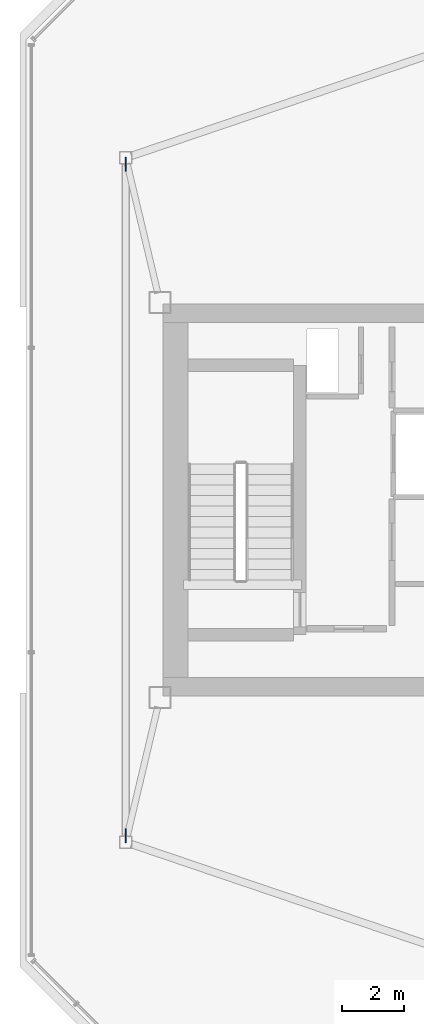
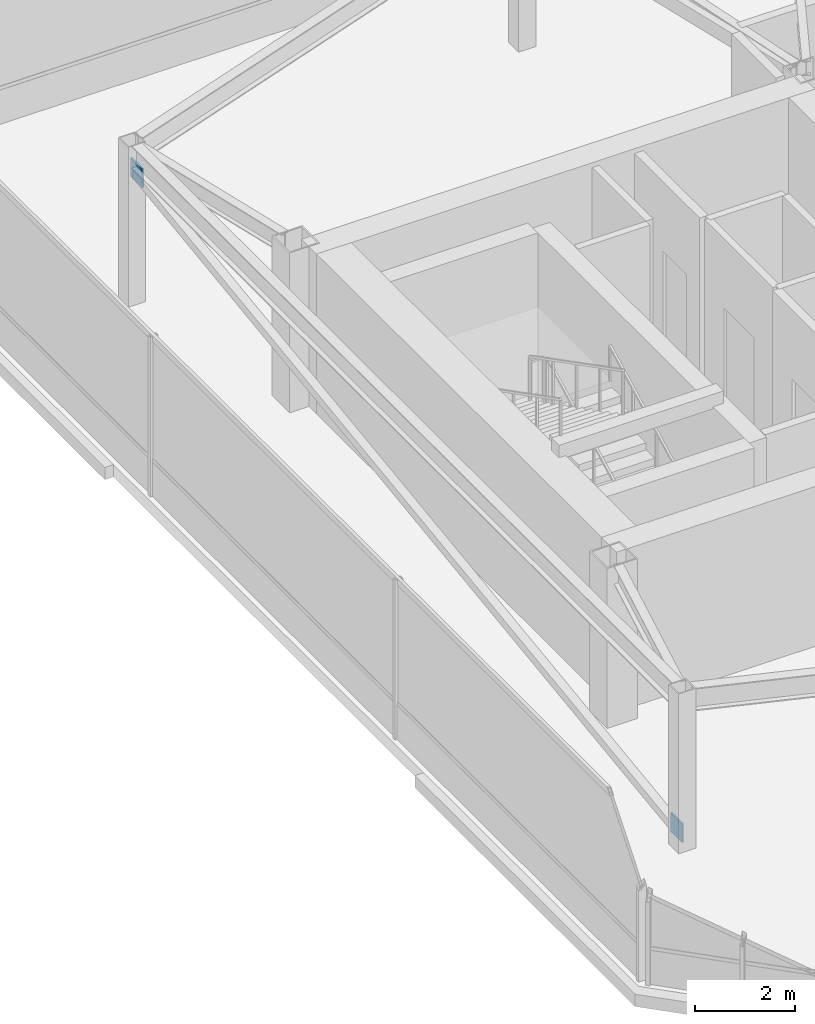
# One storey, part 19 of 21: 2 discrete accessories.
"""IFC4 building model written with IfcOpenShell, lengths in metres."""

import ifcopenshell
import ifcopenshell.guid

model = None  # the IFC model being written
_history = None  # IfcOwnerHistory: only IFC2X3 demands one
_inside = {}  # id of a spatial element -> (the spatial element, [elements in it])
_under = {}  # id of a project, library or spatial element -> (it, [spatial elements below it])
_declared = {}  # id of a project -> (the project, [libraries it declares])
_typed = {}  # id of a type object -> (the type object, [elements of that type])
_made_of = {}  # id of a material, layer set ... -> (it, [elements and type objects made of it])


def new_model(schema):
    """Start an empty IFC model of exactly this schema.

    Asked for "IFC4X3", IfcOpenShell would pick the latest addendum, in which some entities
    have other attributes; the version numbers below select the first issue.
    IFC2X3 requires an IfcOwnerHistory on every rooted entity: one is made here for all.
    """
    global model, _history
    if schema == "IFC4X3":
        model = ifcopenshell.file(schema_version=(4, 3, 0, 0))
    else:
        model = ifcopenshell.file(schema=schema)
    _inside.clear()
    _under.clear()
    _declared.clear()
    _typed.clear()
    _made_of.clear()
    _history = None
    if model.schema == "IFC2X3":
        org = make("IfcOrganization", Name="unknown")
        user = make(
            "IfcPersonAndOrganization",
            ThePerson=make("IfcPerson", FamilyName="unknown"),
            TheOrganization=org,
        )
        app = make(
            "IfcApplication",
            ApplicationDeveloper=org,
            Version="unknown",
            ApplicationFullName="unknown",
            ApplicationIdentifier="unknown",
        )
        _history = make(
            "IfcOwnerHistory",
            OwningUser=user,
            OwningApplication=app,
            ChangeAction="ADDED",
            CreationDate=0,
        )
    return model


def make(cls, **values):
    """One entity of the class cls with the attributes given. An attribute that is None is left unset."""
    return model.create_entity(
        cls, **{name: value for name, value in values.items() if value is not None}
    )


def rooted(cls, **values):
    """An entity with a GlobalId (a new one), such as an element, a storey or a relation."""
    return make(cls, GlobalId=ifcopenshell.guid.new(), OwnerHistory=_history, **values)


def si_unit(unit_type, name, prefix=None):
    """IfcSIUnit, for example si_unit("LENGTHUNIT", "METRE", prefix="MILLI")."""
    return make("IfcSIUnit", UnitType=unit_type, Prefix=prefix, Name=name)


def assignment(units):
    """IfcUnitAssignment: the units of a project."""
    return None if units is None else make("IfcUnitAssignment", Units=units)


def point(xyz):
    """IfcCartesianPoint."""
    return None if xyz is None else make("IfcCartesianPoint", Coordinates=xyz)


def direction(xyz):
    """IfcDirection."""
    return None if xyz is None else make("IfcDirection", DirectionRatios=xyz)


def frame(location, z_axis=None, x_axis=None):
    """IfcAxis2Placement3D, a coordinate frame: its origin and axes. An axis left out is left unset."""
    return make(
        "IfcAxis2Placement3D",
        Location=point(location),
        Axis=direction(z_axis),
        RefDirection=direction(x_axis),
    )


def frame_2d(location, x_axis=None):
    """IfcAxis2Placement2D, a coordinate frame in the plane: its origin and x axis."""
    return make(
        "IfcAxis2Placement2D", Location=point(location), RefDirection=direction(x_axis)
    )


def origin():
    """The frame at (0, 0, 0) with its axes left unset."""
    return frame((0.0, 0.0, 0.0))


def origin_2d():
    """The frame at (0, 0) in the plane with its x axis left unset."""
    return frame_2d((0.0, 0.0))


def place(relative_to, where):
    """IfcLocalPlacement: puts the frame where relative to a parent placement (None: the world)."""
    return make(
        "IfcLocalPlacement", PlacementRelTo=relative_to, RelativePlacement=where
    )


def context(
    kind, dimensions, precision=None, world=None, true_north=None, identifier=None
):
    """IfcGeometricRepresentationContext, for example the 3D "Model" context."""
    return make(
        "IfcGeometricRepresentationContext",
        ContextIdentifier=identifier,
        ContextType=kind,
        CoordinateSpaceDimension=dimensions,
        Precision=precision,
        WorldCoordinateSystem=world,
        TrueNorth=true_north,
    )


def subcontext(parent, identifier, kind, view, scale=None):
    """IfcGeometricRepresentationSubContext, for example "Body" below "Model"."""
    return make(
        "IfcGeometricRepresentationSubContext",
        ContextIdentifier=identifier,
        ContextType=kind,
        ParentContext=parent,
        TargetScale=scale,
        TargetView=view,
    )


def project(units=None, contexts=None):
    """IfcProject with its units and contexts."""
    return rooted(
        "IfcProject",
        Name="project",
        RepresentationContexts=contexts,
        UnitsInContext=assignment(units),
    )


def spatial(cls, under=None, at=None, **own):
    """A site, building, storey or space (cls), placed at a placement, below another one or the project."""
    s = rooted(cls, ObjectPlacement=at, **own)
    if under is not None:
        _under.setdefault(under.id(), (under, []))[1].append(s)
    return s


def profile(cls, at=None, kind="AREA", **sizes):
    """A parametric profile (cls). Its sizes go by their IFC names, for example OverallWidth=200.0."""
    return make(cls, ProfileType=kind, Position=at, **sizes)


def rectangle(**sizes):
    """IfcRectangleProfileDef."""
    return profile("IfcRectangleProfileDef", **sizes)


def extrude(swept, where, along, depth):
    """IfcExtrudedAreaSolid: the profile swept, set in the frame where, extruded along a direction by depth."""
    return make(
        "IfcExtrudedAreaSolid",
        SweptArea=swept,
        Position=where,
        ExtrudedDirection=direction(along),
        Depth=depth,
    )


def shape(context_of_items, identifier, shape_type, items):
    """IfcShapeRepresentation: the items that make up one representation, for example the "Body"."""
    return make(
        "IfcShapeRepresentation",
        ContextOfItems=context_of_items,
        RepresentationIdentifier=identifier,
        RepresentationType=shape_type,
        Items=items,
    )


def material(Name=None, Category=None):
    """IfcMaterial."""
    return make("IfcMaterial", Name=Name, Category=Category)


def made_of(thing, what):
    """Note that an element or type object is made of a material, layer set ...; save() writes the relation."""
    if what is not None:
        _made_of.setdefault(what.id(), (what, []))[1].append(thing)
    return thing


def type_object(cls, material=None, **own):
    """A type object (cls), such as IfcWallType, which elements share."""
    return made_of(rooted(cls, **own), material)


def element(
    cls,
    number,
    at=None,
    inside=None,
    cuts=None,
    type_object=None,
    material=None,
    context=None,
    identifier="Body",
    shape_type=None,
    held_by="IfcProductDefinitionShape",
    body=None,
    shapes=None,
    **own,
):
    """One element of the class cls, such as IfcWall. Its Tag is "e" and its number.

    at: its placement. inside: the storey or other place that contains it. cuts: it is an
    opening in that element (IfcRelVoidsElement). A single representation is given by context,
    identifier, shape_type and body (its items); several are given by shapes. held_by: the class
    of the entity that holds the representations. save() writes the other relations.
    """
    e = rooted(cls, Tag="e%d" % number, ObjectPlacement=at, **own)
    if body is not None:
        shapes = [shape(context, identifier, shape_type, body)]
    if shapes is not None:
        e.Representation = make(held_by, Representations=shapes)
    if inside is not None:
        _inside.setdefault(inside.id(), (inside, []))[1].append(e)
    if cuts is not None:
        rooted(
            "IfcRelVoidsElement", RelatingBuildingElement=cuts, RelatedOpeningElement=e
        )
    if type_object is not None:
        _typed.setdefault(type_object.id(), (type_object, []))[1].append(e)
    return made_of(e, material)


def aggregate(whole, parts):
    """IfcRelAggregates: a whole, such as a stair, and the parts it consists of."""
    return rooted("IfcRelAggregates", RelatingObject=whole, RelatedObjects=parts)


def save(model, path):
    """Write the relations noted so far, then the file.

    IfcRelAggregates (storeys below a building ...), IfcRelContainedInSpatialStructure (elements
    in a storey), IfcRelDefinesByType, IfcRelAssociatesMaterial and IfcRelDeclares: one each for
    every whole, place, type object, material and project.
    """
    for whole, parts in _under.values():
        aggregate(whole, parts)
    for where, things in _inside.values():
        rooted(
            "IfcRelContainedInSpatialStructure",
            RelatedElements=things,
            RelatingStructure=where,
        )
    for kind, things in _typed.values():
        rooted("IfcRelDefinesByType", RelatedObjects=things, RelatingType=kind)
    for what, things in _made_of.values():
        rooted("IfcRelAssociatesMaterial", RelatedObjects=things, RelatingMaterial=what)
    for by, libraries in _declared.values():
        rooted("IfcRelDeclares", RelatingContext=by, RelatedDefinitions=libraries)
    model.write(path)


model = new_model("IFC4")

# Units and contexts
model_context = context("Model", 3, precision=1e-05, world=origin(), true_north=direction((0.0, 1.0)))
body_context = subcontext(model_context, "Body", "Model", "MODEL_VIEW")
ifc_project = project(units=[si_unit("LENGTHUNIT", "METRE"), si_unit("AREAUNIT", "SQUARE_METRE"), si_unit("VOLUMEUNIT", "CUBIC_METRE"), si_unit("PLANEANGLEUNIT", "RADIAN"), si_unit("MASSUNIT", "GRAM", prefix="KILO")], contexts=[model_context])

# Site, building, storey
site_placement = place(None, origin())
site = spatial("IfcSite", under=ifc_project, at=site_placement, CompositionType="ELEMENT")
building_placement = place(site_placement, origin())
building = spatial("IfcBuilding", under=site, at=building_placement, Name="Tavrogorsk Clinical Tower", CompositionType="ELEMENT")
storey_placement = place(building_placement, frame((0.0, 0.0, 348.60009765625)))
storey = spatial("IfcBuildingStorey", under=building, at=storey_placement, Name="L81", CompositionType="ELEMENT", Elevation=348.60009765625)

# Discrete accessories
ifc_material = material(Name="Structural steel S440", Category="steel")
discrete_accessory_type = type_object("IfcDiscreteAccessoryType", Name="GussetPlateBracket_25", PredefinedType="BRACKET", material=ifc_material)
for number, where, z_axis, x_axis, name in (
    (1, (-23.199951171875, -10.791748046875, 0.097900390625), (0.0, 0.0, 1.0), (0.0, 1.0, 0.0), "L81 Brace Gusset Plate CRNBR-L81-1-A"),
    (2, (-23.199951171875, 10.791748046875, 2.991943359375), (0.0, 0.0, 1.0), (0.0, 1.0, 0.0), "L81 Brace Gusset Plate CRNBR-L81-1-B"),
):
    element("IfcDiscreteAccessory", number, at=place(storey_placement, frame(where, z_axis=z_axis, x_axis=x_axis)), inside=storey, type_object=discrete_accessory_type, Name=name, PredefinedType="BRACKET", context=body_context, shape_type="SweptSolid", body=[
        extrude(rectangle(XDim=0.4599609375, YDim=0.0400390625, at=origin_2d()), origin(), (0.0, 0.0, 1.0), 0.4599609375),
    ])

save(model, "model.ifc")
